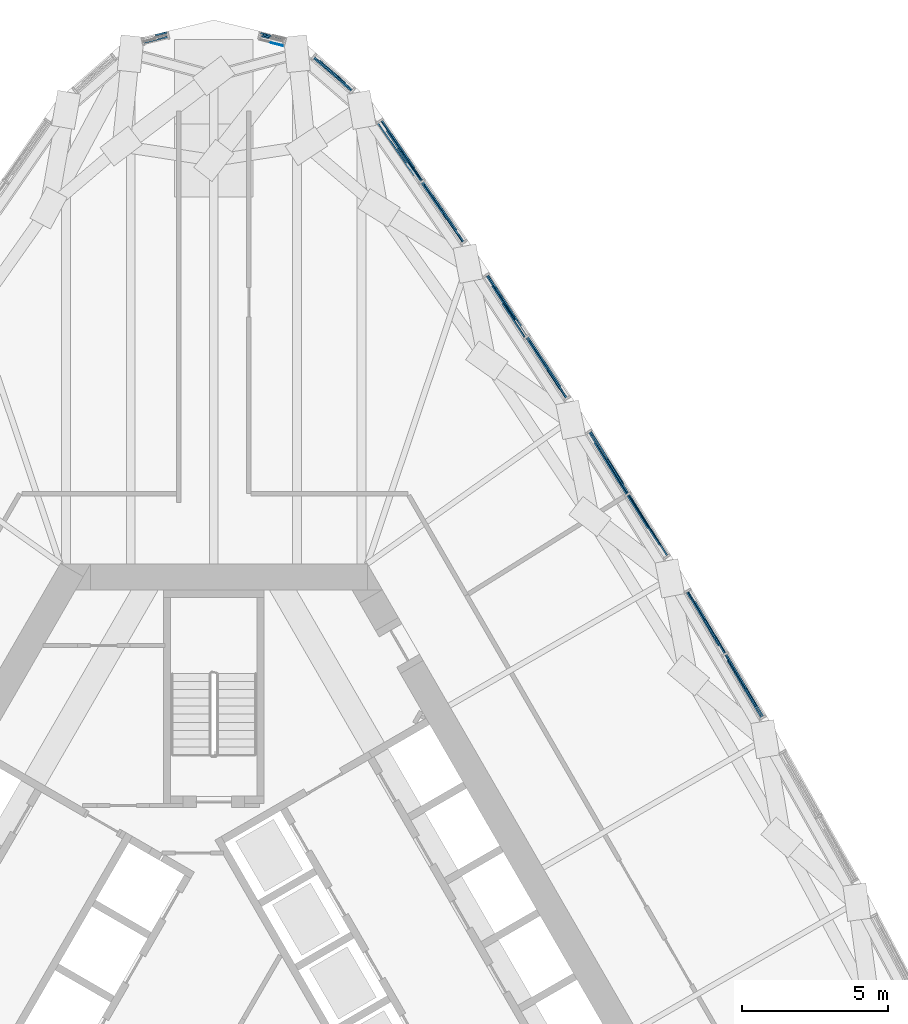
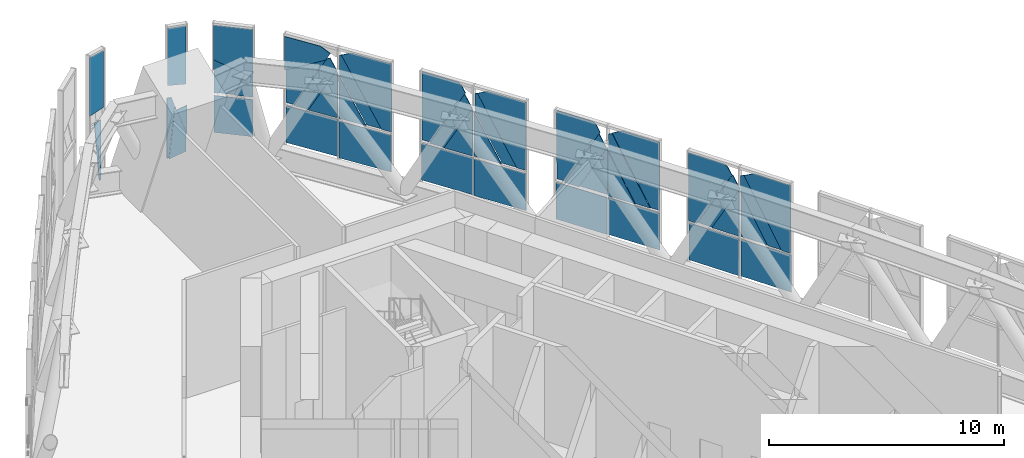
# One storey, part 17 of 33: 44 plates, 2 elements without a shape of their own.
"""IFC4 building model written with IfcOpenShell, lengths in metres."""

from ifc_helpers import new_model, si_unit, direction, frame, origin, place, context, subcontext, project, spatial, polyline, outline, extrude, material, layer, layer_set, type_object, element, aggregate, save


model = new_model("IFC4")

# Units and contexts
model_context = context("Model", 3, precision=1e-05, world=origin(), true_north=direction((0.0, 1.0)))
body_context = subcontext(model_context, "Body", "Model", "MODEL_VIEW")
ifc_project = project(units=[si_unit("LENGTHUNIT", "METRE"), si_unit("AREAUNIT", "SQUARE_METRE"), si_unit("VOLUMEUNIT", "CUBIC_METRE"), si_unit("PLANEANGLEUNIT", "RADIAN"), si_unit("MASSUNIT", "GRAM", prefix="KILO")], contexts=[model_context])

# Site, building, storey
site_placement = place(None, origin())
site = spatial("IfcSite", under=ifc_project, at=site_placement, CompositionType="ELEMENT")
building_placement = place(site_placement, origin())
building = spatial("IfcBuilding", under=site, at=building_placement, Name="Mestral Congress Tower", CompositionType="ELEMENT")
storey_placement = place(building_placement, frame((0.0, 0.0, 134.39990234375)))
storey = spatial("IfcBuildingStorey", under=building, at=storey_placement, Name="L32", CompositionType="ELEMENT", Elevation=134.39990234375)

# Curtain wall, plates
ifc_material_1 = material(Name="Clear low-emissivity double glazing", Category="glass")
curtain_wall_type = type_object("IfcCurtainWallType", Name="Facade sky lobby curtain wall", PredefinedType="USERDEFINED", material=ifc_material_1)
placement = place(storey_placement, origin())
curtain_wall_1 = element("IfcCurtainWall", 1, at=placement, inside=storey, type_object=curtain_wall_type, Name="Facade sky lobby curtain wall face 2", ObjectType="CURTAIN WALL", PredefinedType="USERDEFINED")
ifc_material_2 = material(Name="Anodised aluminium", Category="aluminium")
ifc_layer_1 = layer(ifc_material_2, 0.031982421875)
ifc_layer_set_1 = layer_set([ifc_layer_1], Name="Anodised aluminium")
plate_type_1 = type_object("IfcPlateType", Name="Facade sky lobby curtain wall brace cover panel", PredefinedType="CURTAIN_PANEL", material=ifc_layer_set_1)
plate_1_placement = place(storey_placement, frame((17.55859375, 13.802001953125, 3.130126953125), z_axis=(0.86012861678, 0.510073387972, 0.001975215863), x_axis=(0.001626859695, 0.001129059904, -0.999998039274)))
plate_1 = element("IfcPlate", 2, at=plate_1_placement, type_object=plate_type_1, Name="Facade sky lobby curtain wall brace cover panel", PredefinedType="CURTAIN_PANEL", context=body_context, shape_type="SweptSolid", body=[
    extrude(outline(polyline([(0.0, 0.0), (1.9179726336058212, 0.0), (1.9176248229563206, -2.4603006889917713), (-0.0003475350001097711, -2.460090696280906), (0.0, 0.0)])), origin(), (0.0, 0.0, -1.0), 0.031982421875),
])
plate_2_placement = place(storey_placement, frame((17.52490234375, 13.7822265625, 5.637451171875), z_axis=(0.860085968167, 0.510145434705, 0.001939796767), x_axis=(0.250318890357, -0.418708912185, -0.87293945952)))
plate_2 = element("IfcPlate", 3, at=plate_2_placement, type_object=plate_type_1, Name="Facade sky lobby curtain wall brace cover panel", PredefinedType="CURTAIN_PANEL", context=body_context, shape_type="SweptSolid", body=[
    extrude(outline(polyline([(0.0, 0.0), (2.712022930571762, -2.220446049250313e-16), (3.05804982682663, -0.6191991300030775), (-0.696692694267993, -0.6190453066703433), (-0.6964750052311194, -0.38921933922212154), (0.0, 0.0)])), origin(), (0.0, 0.0, -1.0), 0.031982421875),
])
plate_3_placement = place(storey_placement, frame((16.243896484375, 15.952392578125, 3.130126953125), z_axis=(0.86012861678, 0.510073387972, 0.001975215863), x_axis=(0.001626859695, 0.001129059904, -0.999998039274)))
plate_3 = element("IfcPlate", 4, at=plate_3_placement, type_object=plate_type_1, Name="Facade sky lobby curtain wall brace cover panel", PredefinedType="CURTAIN_PANEL", context=body_context, shape_type="SweptSolid", body=[
    extrude(outline(polyline([(0.0, 0.0), (1.9179726336058212, 0.0), (1.9176248229563206, -2.4603006889917713), (-0.0003475350001097711, -2.460090696280906), (0.0, 0.0)])), origin(), (0.0, 0.0, -1.0), 0.031982421875),
])
plate_4_placement = place(storey_placement, frame((16.48486328125, 15.612060546875, 3.27001953125), z_axis=(0.860116950872, 0.510092838431, 0.00203150307), x_axis=(0.51009389094, -0.860118725773, 4.1035e-08)))
plate_4 = element("IfcPlate", 5, at=plate_4_placement, type_object=plate_type_1, Name="Facade sky lobby curtain wall brace cover panel", PredefinedType="CURTAIN_PANEL", context=body_context, shape_type="SweptSolid", body=[
    extrude(outline(polyline([(0.0, 0.0), (0.7079016032174283, 0.0), (2.044427779882958, -2.4116261325447796), (2.0444277824776758, -2.474858423939393), (1.7064156484361315, -3.079596272129642), (0.0, 0.0)])), origin(), (0.0, 0.0, -1.0), 0.031982421875),
])
plate_5_placement = place(storey_placement, frame((14.226318359375, 19.275390625, 3.130126953125), z_axis=(0.847957586157, 0.530060321411, 0.001996933552), x_axis=(0.001736310496, 0.000989721143, -0.999998002837)))
plate_5 = element("IfcPlate", 6, at=plate_5_placement, type_object=plate_type_1, Name="Facade sky lobby curtain wall brace cover panel", PredefinedType="CURTAIN_PANEL", context=body_context, shape_type="SweptSolid", body=[
    extrude(outline(polyline([(0.0, 0.0), (1.9179727872078352, 4.336808689942018e-19), (1.9181721200182649, -2.4601732932866356), (0.00019975671435944458, -2.460302702768862), (0.0, 0.0)])), origin(), (0.0, 0.0, -1.0), 0.031982421875),
])
plate_6_placement = place(storey_placement, frame((14.193359375, 19.254638671875, 5.593017578125), z_axis=(0.847995631356, 0.529999313818, 0.002033851679), x_axis=(0.261725769134, -0.415416553204, -0.871165144559)))
plate_6 = element("IfcPlate", 7, at=plate_6_placement, type_object=plate_type_1, Name="Facade sky lobby curtain wall brace cover panel", PredefinedType="CURTAIN_PANEL", context=body_context, shape_type="SweptSolid", body=[
    extrude(outline(polyline([(0.0, 0.0), (2.6665418033017634, 2.220446049250313e-16), (3.01580911055552, -0.6197116137128522), (-0.7497062911110444, -0.6194826192286371), (-0.7495874205033718, -0.422286843338545), (0.0, 0.0)])), origin(), (0.0, 0.0, -1.0), 0.031982421875),
])
plate_7_placement = place(storey_placement, frame((12.86181640625, 21.394287109375, 3.130126953125), z_axis=(0.847957469976, 0.530060248786, 0.002064405306), x_axis=(0.001700545939, 0.00117422551, -0.999997864667)))
plate_7 = element("IfcPlate", 8, at=plate_7_placement, type_object=plate_type_1, Name="Facade sky lobby curtain wall brace cover panel", PredefinedType="CURTAIN_PANEL", context=body_context, shape_type="SweptSolid", body=[
    extrude(outline(polyline([(0.0, 0.0), (1.9179726318233394, -5.692061405548898e-19), (1.9177408348083074, -2.4603026999588202), (-0.0002322121873804474, -2.4601732904029103), (0.0, 0.0)])), origin(), (0.0, 0.0, -1.0), 0.031982421875),
])
plate_8_placement = place(storey_placement, frame((13.04638671875, 21.0341796875, 3.27001953125), z_axis=(0.847980284012, 0.530024207938, 0.001943431877), x_axis=(0.530025209124, -0.847981885238, -1.53079e-07)))
plate_8 = element("IfcPlate", 9, at=plate_8_placement, type_object=plate_type_1, Name="Facade sky lobby curtain wall brace cover panel", PredefinedType="CURTAIN_PANEL", context=body_context, shape_type="SweptSolid", body=[
    extrude(outline(polyline([(0.0, 0.0), (0.7074243684682696, -2.168404344971009e-19), (2.049527119190332, -2.4428760207770264), (1.6912083659026091, -3.078375104627083), (0.0, 0.0)])), origin(), (0.0, 0.0, -1.0), 0.031982421875),
])
plate_9_placement = place(storey_placement, frame((10.71044921875, 24.631591796875, 3.130126953125), z_axis=(0.835316511973, 0.549765782754, 0.001977103336), x_axis=(0.00162555498, 0.001126382494, -0.999998044415)))
plate_9 = element("IfcPlate", 10, at=plate_9_placement, type_object=plate_type_1, Name="Facade sky lobby curtain wall brace cover panel", PredefinedType="CURTAIN_PANEL", context=body_context, shape_type="SweptSolid", body=[
    extrude(outline(polyline([(0.0, 0.0), (1.9179726334424048, 2.710505431213761e-20), (1.917856346028759, -2.4603067673358137), (-0.0001160124179197127, -2.4601028322546785), (0.0, 0.0)])), origin(), (0.0, 0.0, -1.0), 0.031982421875),
])
plate_10_placement = place(storey_placement, frame((10.76318359375, 24.666259765625, 5.547119140625), z_axis=(0.835338317343, 0.549732497077, 0.002019216773), x_axis=(0.273163604262, -0.411888813741, -0.869326895029)))
plate_10 = element("IfcPlate", 11, at=plate_10_placement, type_object=plate_type_1, Name="Facade sky lobby curtain wall brace cover panel", PredefinedType="CURTAIN_PANEL", context=body_context, shape_type="SweptSolid", body=[
    extrude(outline(polyline([(0.0, 0.0), (2.6193826030159952, 0.0), (2.9721185393455114, -0.6204413809559917), (-0.8063606970181256, -0.6203086403764749), (-0.806502350459436, -0.45852820630338964), (0.0, 0.0)])), origin(), (0.0, 0.0, -1.0), 0.031982421875),
])
plate_11_placement = place(storey_placement, frame((9.353515625, 26.755615234375, 3.130126953125), z_axis=(0.835377133678, 0.549673787532, 0.001942119786), x_axis=(0.001654783027, 0.001018328017, -0.999998112349)))
plate_11 = element("IfcPlate", 12, at=plate_11_placement, type_object=plate_type_1, Name="Facade sky lobby curtain wall brace cover panel", PredefinedType="CURTAIN_PANEL", context=body_context, shape_type="SweptSolid", body=[
    extrude(outline(polyline([(0.0, 0.0), (1.9179723704628269, 3.2526065174565133e-19), (1.9181172820699322, -2.4601725603229716), (0.00014491160710546503, -2.4601725603229716), (0.0, 0.0)])), origin(), (0.0, 0.0, -1.0), 0.031982421875),
])
plate_12_placement = place(storey_placement, frame((9.541015625, 26.411865234375, 3.27001953125), z_axis=(0.835400640537, 0.549638216452, 0.001897579085), x_axis=(0.549639205852, -0.835402144713, 1.09179e-07)))
plate_12 = element("IfcPlate", 13, at=plate_12_placement, type_object=plate_type_1, Name="Facade sky lobby curtain wall brace cover panel", PredefinedType="CURTAIN_PANEL", context=body_context, shape_type="SweptSolid", body=[
    extrude(outline(polyline([(0.0, 0.0), (0.707201856914262, 2.168404344971009e-19), (2.036517136595166, -2.441898705311577), (1.6750691793493508, -3.0771538719520066), (0.0, 0.0)])), origin(), (0.0, 0.0, -1.0), 0.031982421875),
])
plate_13_placement = place(storey_placement, frame((7.125244140625, 29.944091796875, 3.130126953125), z_axis=(0.822254747424, 0.569116051074, 0.002012647171), x_axis=(0.001654782799, 0.001145618861, -0.999997974624)))
plate_13 = element("IfcPlate", 14, at=plate_13_placement, type_object=plate_type_1, Name="Facade sky lobby curtain wall brace cover panel", PredefinedType="CURTAIN_PANEL", context=body_context, shape_type="SweptSolid", body=[
    extrude(outline(polyline([(0.0, 0.0), (1.9179726346164996, -4.828087799349512e-19), (1.9179720752322902, -2.4632104942740605), (-5.593842094479134e-07, -2.46321049427406), (0.0, 0.0)])), origin(), (0.0, 0.0, -1.0), 0.031982421875),
])
plate_14_placement = place(storey_placement, frame((7.17724609375, 29.97998046875, 5.50439453125), z_axis=(0.822243863764, 0.569131640915, 0.002050319743), x_axis=(0.284755735175, -0.408271785309, -0.867310971108)))
plate_14 = element("IfcPlate", 15, at=plate_14_placement, type_object=plate_type_1, Name="Facade sky lobby curtain wall brace cover panel", PredefinedType="CURTAIN_PANEL", context=body_context, shape_type="SweptSolid", body=[
    extrude(outline(polyline([(0.0, 0.0), (2.5762099225827715, -2.220446049250313e-16), (2.932826596336283, -0.621375970785838), (-0.8617470179217689, -0.6212559344954132), (-0.8618935193887364, -0.49445769278492013), (0.0, 0.0)])), origin(), (0.0, 0.0, -1.0), 0.031982421875),
])
plate_15_placement = place(storey_placement, frame((5.7451171875, 32.0576171875, 3.130126953125), z_axis=(0.822286846164, 0.569069672252, 0.002012647155), x_axis=(0.001654782799, 0.001145618861, -0.999997974624)))
plate_15 = element("IfcPlate", 16, at=plate_15_placement, type_object=plate_type_1, Name="Facade sky lobby curtain wall brace cover panel", PredefinedType="CURTAIN_PANEL", context=body_context, shape_type="SweptSolid", body=[
    extrude(outline(polyline([(0.0, 0.0), (1.9179726346164996, -5.836057006582129e-19), (1.9179717955401854, -2.4634112443869833), (-8.390763141718702e-07, -2.4634112443869833), (0.0, 0.0)])), origin(), (0.0, 0.0, -1.0), 0.031982421875),
])
plate_16_placement = place(storey_placement, frame((6.336669921875, 31.142578125, 3.27001953125), z_axis=(0.822204501935, 0.569188594238, 0.002025138709), x_axis=(0.268592482446, -0.391119269011, 0.880274841048)))
plate_16 = element("IfcPlate", 17, at=plate_16_placement, type_object=plate_type_1, Name="Facade sky lobby curtain wall brace cover panel", PredefinedType="CURTAIN_PANEL", context=body_context, shape_type="SweptSolid", body=[
    extrude(outline(polyline([(0.0, 0.0), (2.772904130294407, 0.0), (3.101694942645508, -0.5297512886448197), (2.9536860663988627, -0.6216833906119702), (-0.33516712880042787, -0.6218424098521362), (0.0, 0.0)])), origin(), (0.0, 0.0, -1.0), 0.031982421875),
])

curtain_wall_2 = element("IfcCurtainWall", 18, at=placement, inside=storey, type_object=curtain_wall_type, Name="Facade sky lobby curtain wall corner 2", ObjectType="CURTAIN WALL", PredefinedType="USERDEFINED")
plate_17_placement = place(storey_placement, frame((3.45751953125, 34.244873046875, 3.130126953125), z_axis=(0.655839394244, 0.754897721151, 0.002029669844), x_axis=(0.001372825127, 0.001495981281, -0.999997938693)))
plate_17 = element("IfcPlate", 19, at=plate_17_placement, type_object=plate_type_1, Name="Facade sky lobby curtain wall brace cover panel", PredefinedType="CURTAIN_PANEL", context=body_context, shape_type="SweptSolid", body=[
    extrude(outline(polyline([(0.0, 0.0), (1.9179728660223694, 5.285485590866834e-19), (1.9180665351309905, -1.69925629576964), (9.400427100560486e-05, -1.6994405973324875), (0.0, 0.0)])), origin(), (0.0, 0.0, -1.0), 0.031982421875),
])
plate_18_placement = place(storey_placement, frame((4.140380859375, 33.6962890625, 3.27001953125), z_axis=(0.655862776531, 0.754877617706, 0.001949525069), x_axis=(0.281318229575, -0.246813531318, 0.927331189202)))
plate_18 = element("IfcPlate", 20, at=plate_18_placement, type_object=plate_type_1, Name="Facade sky lobby curtain wall brace cover panel", PredefinedType="CURTAIN_PANEL", context=body_context, shape_type="SweptSolid", body=[
    extrude(outline(polyline([(0.0, 0.0), (1.2837159432963894, 5.551115123125783e-17), (1.2837346129901144, -0.6190521418454542), (-0.24967025286528605, -0.6186651192187635), (0.0, 0.0)])), origin(), (0.0, 0.0, -1.0), 0.031982421875),
])
plate_19_placement = place(storey_placement, frame((2.364990234375, 34.648193359375, 2.76171875), z_axis=(0.235810153728, 0.971797043425, 0.002019353594), x_axis=(-0.922262582119, 0.224444433701, -0.314732308168)))
plate_19 = element("IfcPlate", 21, at=plate_19_placement, type_object=plate_type_1, Name="Facade sky lobby curtain wall brace cover panel", PredefinedType="CURTAIN_PANEL", context=body_context, shape_type="SweptSolid", body=[
    extrude(outline(polyline([(0.0, 0.0), (0.4786123372652201, 2.7755575615628914e-17), (0.47938558360802247, -1.4465644768659232), (0.0, 0.0)])), origin(), (0.0, 0.0, -1.0), 0.031982421875),
])
plate_20_placement = place(storey_placement, frame((1.70458984375, 35.05712890625, 0.0), z_axis=(0.236444636535, 0.97164285629, 0.002023283327), x_axis=(0.091303245071, -0.02429122518, 0.99552682225)))
plate_20 = element("IfcPlate", 22, at=plate_20_placement, type_object=plate_type_1, Name="Facade sky lobby curtain wall brace cover panel", PredefinedType="CURTAIN_PANEL", context=body_context, shape_type="SweptSolid", body=[
    extrude(outline(polyline([(0.0, 0.0), (2.7084039921281726, -5.551115123125783e-17), (3.126750279129553, -0.18381965769676673), (3.1077611714715383, -0.3839517319955548), (0.00012801462476873596, -0.08911289901300483), (0.0, 0.0)])), origin(), (0.0, 0.0, -1.0), 0.031982421875),
])
plate_21_placement = place(storey_placement, frame((-1.62255859375, 35.09521484375, 3.130126953125), z_axis=(-0.235664868193, 0.971832220075, 0.002050834917), x_axis=(-0.971834263486, -0.235665365113, 6.64539e-07)))
plate_21 = element("IfcPlate", 23, at=plate_21_placement, type_object=plate_type_1, Name="Facade sky lobby curtain wall brace cover panel", PredefinedType="CURTAIN_PANEL", context=body_context, shape_type="SweptSolid", body=[
    extrude(outline(polyline([(0.0, 0.0), (0.38589858640183416, -2.710505431213761e-20), (0.0886279058692496, -3.130133594581119), (-1.6876305152326092e-05, -3.121588339383052), (0.0, 0.0)])), origin(), (0.0, 0.0, -1.0), 0.031982421875),
])

# Plate
ifc_layer_2 = layer(ifc_material_1, 0.031982421875)
ifc_layer_set_2 = layer_set([ifc_layer_2], Name="Clear low-emissivity double glazing")
plate_type_2 = type_object("IfcPlateType", Name="Facade sky lobby curtain wall panel", PredefinedType="CURTAIN_PANEL", material=ifc_layer_set_2)
plate_22_placement = place(storey_placement, frame((17.55810546875, 13.802001953125, 3.27001953125), z_axis=(0.86005302669, 0.510200948036, 0.001945226143), x_axis=(0.510201913315, -0.860054653874, 0.0)))
plate_22 = element("IfcPlate", 24, at=plate_22_placement, type_object=plate_type_2, Name="Sky lobby glass unit", PredefinedType="CURTAIN_PANEL", context=body_context, shape_type="SweptSolid", body=[
    extrude(outline(polyline([(0.0, 0.0), (1.3231013261770093, -4.336808689942018e-19), (0.00010676658342248296, -2.367436119705623), (0.0, 0.0)])), origin(), (0.0, 0.0, -1.0), 0.031982421875),
])

plate_23_placement = place(storey_placement, frame((17.5966796875, 13.591552734375, 6.547607421875), z_axis=(0.860118555914, 0.510090069781, 0.002047067094), x_axis=(0.25039068427, -0.418707914442, -0.872919347715)))
plate_23 = element("IfcPlate", 25, at=plate_23_placement, type_object=plate_type_2, Name="Sky lobby glass unit", PredefinedType="CURTAIN_PANEL", context=body_context, shape_type="SweptSolid", body=[
    extrude(outline(polyline([(0.0, 0.0), (3.7547425162387924, -2.220446049250313e-16), (3.963444200516447, -0.37342582974854266), (0.8732807019196859, -2.1005091407927434), (0.00013261604913794578, -0.5382021121010829), (0.0, 0.0)])), origin(), (0.0, 0.0, -1.0), 0.031982421875),
])

plate_24_placement = place(storey_placement, frame((17.498291015625, 13.836181640625, 3.27001953125), z_axis=(0.860251386082, 0.509866557349, 0.001909565474), x_axis=(-0.00161975813, -0.001012348832, 0.999998175765)))
plate_24 = element("IfcPlate", 26, at=plate_24_placement, type_object=plate_type_2, Name="Sky lobby glass unit", PredefinedType="CURTAIN_PANEL", context=body_context, shape_type="SweptSolid", body=[
    extrude(outline(polyline([(0.0, 0.0), (2.4116254931214938, -2.981555974335137e-19), (-6.015764296616352e-05, -1.3364187776712324), (0.0, 0.0)])), origin(), (0.0, 0.0, -1.0), 0.031982421875),
])

plate_25_placement = place(storey_placement, frame((16.21435546875, 15.93505859375, 3.27001953125), z_axis=(0.860108921035, 0.510106358269, 0.002036469849), x_axis=(0.510107416301, -0.860110704407, -1.54034e-07)))
plate_25 = element("IfcPlate", 27, at=plate_25_placement, type_object=plate_type_2, Name="Sky lobby glass unit", PredefinedType="CURTAIN_PANEL", context=body_context, shape_type="SweptSolid", body=[
    extrude(outline(polyline([(0.0, 0.0), (0.4158558414846516, 0.0), (2.1220608015213016, -3.079596406306287), (1.9134674085514187, -3.4528884453148034), (1.7561610791582283, -3.5400466308729857), (3.5825600718538725e-05, -3.540046216976715), (0.0, 0.0)])), origin(), (0.0, 0.0, -1.0), 0.031982421875),
])

plate_26_placement = place(storey_placement, frame((15.5302734375, 17.18896484375, 3.27001953125), z_axis=(0.84794390741, 0.530082324242, 0.001964538852), x_axis=(-0.001685303421, -0.001010205901, 0.999998069616)))
plate_26 = element("IfcPlate", 28, at=plate_26_placement, type_object=plate_type_2, Name="Sky lobby glass unit", PredefinedType="CURTAIN_PANEL", context=body_context, shape_type="SweptSolid", body=[
    extrude(outline(polyline([(0.0, 0.0), (3.54004621462672, -8.402566836762659e-19), (3.5401130656556026, -1.8273317868591863), (3.280364041556264, -2.2886059949319058), (1.632821178424945e-05, -0.43970762707781014), (0.0, 0.0)])), origin(), (0.0, 0.0, -1.0), 0.031982421875),
])

plate_27_placement = place(storey_placement, frame((14.168701171875, 19.2392578125, 3.27001953125), z_axis=(0.848038382912, 0.529930757308, 0.002072092494), x_axis=(0.529931894958, -0.848040203473, 0.0)))
plate_27 = element("IfcPlate", 29, at=plate_27_placement, type_object=plate_type_2, Name="Sky lobby glass unit", PredefinedType="CURTAIN_PANEL", context=body_context, shape_type="SweptSolid", body=[
    extrude(outline(polyline([(0.0, 0.0), (1.309314768277594, 0.0), (-0.00012901371571304512, -2.323003033865291), (0.0, 0.0)])), origin(), (0.0, 0.0, -1.0), 0.031982421875),
])

plate_28_placement = place(storey_placement, frame((14.1943359375, 19.325927734375, 3.27001953125), z_axis=(0.847976591348, 0.530030094914, 0.001949105137), x_axis=(-0.001681068359, -0.00098785865, 0.99999809907)))
plate_28 = element("IfcPlate", 30, at=plate_28_placement, type_object=plate_type_2, Name="Sky lobby glass unit", PredefinedType="CURTAIN_PANEL", context=body_context, shape_type="SweptSolid", body=[
    extrude(outline(polyline([(0.0, 0.0), (2.4294481300289026, 5.963111948670274e-19), (2.4428761349648696, -0.0074523919411187385), (7.212812502638364e-05, -1.3494787483670891), (0.0, 0.0)])), origin(), (0.0, 0.0, -1.0), 0.031982421875),
])

plate_29_placement = place(storey_placement, frame((12.919189453125, 21.43017578125, 3.27001953125), z_axis=(0.847942069495, 0.530085043656, 0.002023183857), x_axis=(0.530086128862, -0.847943804735, -1.81349e-07)))
plate_29 = element("IfcPlate", 31, at=plate_29_placement, type_object=plate_type_2, Name="Sky lobby glass unit", PredefinedType="CURTAIN_PANEL", context=body_context, shape_type="SweptSolid", body=[
    extrude(outline(polyline([(0.0, 0.0), (0.4033995896768836, 5.421010862427522e-20), (2.0944780228294118, -3.078375802832063), (1.8824006659487929, -3.454841311890099), (1.7270757427070624, -3.540046626370851), (-0.00013076799517021967, -3.5400462156311), (0.0, 0.0)])), origin(), (0.0, 0.0, -1.0), 0.031982421875),
])

plate_30_placement = place(storey_placement, frame((10.7119140625, 24.632568359375, 3.27001953125), z_axis=(0.835369699332, 0.549684576423, 0.002081317201), x_axis=(0.549685767011, -0.835371508699, 0.0)))
plate_30 = element("IfcPlate", 32, at=plate_30_placement, type_object=plate_type_2, Name="Sky lobby glass unit", PredefinedType="CURTAIN_PANEL", context=body_context, shape_type="SweptSolid", body=[
    extrude(outline(polyline([(0.0, 0.0), (1.2946850083916674, 0.0), (9.621931726491399e-05, -2.2771045414536197), (0.0, 0.0)])), origin(), (0.0, 0.0, -1.0), 0.031982421875),
])

plate_31_placement = place(storey_placement, frame((10.810546875, 24.529052734375, 6.5546875), z_axis=(0.835321828592, 0.54975768904, 0.001981418484), x_axis=(0.273187747936, -0.411958347486, -0.869286359213)))
plate_31 = element("IfcPlate", 33, at=plate_31_placement, type_object=plate_type_2, Name="Sky lobby glass unit", PredefinedType="CURTAIN_PANEL", context=body_context, shape_type="SweptSolid", body=[
    extrude(outline(polyline([(0.0, 0.0), (3.778579809252799, 0.0), (4.001799434867225, -0.3925547135029763), (0.924500269588048, -2.142456425513557), (-0.00010915868745051127, -0.5164348020654914), (0.0, 0.0)])), origin(), (0.0, 0.0, -1.0), 0.031982421875),
])

plate_32_placement = place(storey_placement, frame((10.652099609375, 24.6650390625, 3.27001953125), z_axis=(0.835334650033, 0.549738257503, 0.001967407421), x_axis=(-0.001621315859, -0.001115189433, 0.999998063842)))
plate_32 = element("IfcPlate", 34, at=plate_32_placement, type_object=plate_type_2, Name="Sky lobby glass unit", PredefinedType="CURTAIN_PANEL", context=body_context, shape_type="SweptSolid", body=[
    extrude(outline(polyline([(0.0, 0.0), (2.382573074504383, 5.692061405548898e-19), (2.4418979042734423, -0.03365567418576409), (-5.476317243009298e-05, -1.3628718224146394), (0.0, 0.0)])), origin(), (0.0, 0.0, -1.0), 0.031982421875),
])

plate_33_placement = place(storey_placement, frame((9.396484375, 26.783935546875, 3.27001953125), z_axis=(0.835290603829, 0.549804989136, 0.002020167108), x_axis=(0.54980611153, -0.835292307952, -2.91677e-07)))
plate_33 = element("IfcPlate", 35, at=plate_33_placement, type_object=plate_type_2, Name="Sky lobby glass unit", PredefinedType="CURTAIN_PANEL", context=body_context, shape_type="SweptSolid", body=[
    extrude(outline(polyline([(0.0, 0.0), (0.3902331062380633, 5.421010862427522e-20), (2.065299843845496, -3.0771552013976704), (1.847605250304956, -3.4599684809632114), (1.70046468497343, -3.540046776733917), (4.030784586906613e-05, -3.540046064879993), (0.0, 0.0)])), origin(), (0.0, 0.0, -1.0), 0.031982421875),
])

plate_34_placement = place(storey_placement, frame((7.125, 29.944091796875, 3.27001953125), z_axis=(0.822348079931, 0.568981113637, 0.002031688532), x_axis=(0.568982287949, -0.822349777163, 0.0)))
plate_34 = element("IfcPlate", 36, at=plate_34_placement, type_object=plate_type_2, Name="Sky lobby glass unit", PredefinedType="CURTAIN_PANEL", context=body_context, shape_type="SweptSolid", body=[
    extrude(outline(polyline([(0.0, 0.0), (1.2825290761778492, 0.0), (0.00012478350330962082, -2.234379611494244), (0.0, 0.0)])), origin(), (0.0, 0.0, -1.0), 0.031982421875),
])

plate_35_placement = place(storey_placement, frame((7.210205078125, 29.869140625, 6.56103515625), z_axis=(0.822239279522, 0.569138364223, 0.002022270972), x_axis=(0.284739027195, -0.408283273846, -0.867311048407)))
plate_35 = element("IfcPlate", 37, at=plate_35_placement, type_object=plate_type_2, Name="Sky lobby glass unit", PredefinedType="CURTAIN_PANEL", context=body_context, shape_type="SweptSolid", body=[
    extrude(outline(polyline([(0.0, 0.0), (3.7945040975822932, -4.440892098500626e-16), (4.0256875464952, -0.40281822315399696), (0.9553986981295597, -2.1649914578850966), (-0.00010875111647343227, -0.5000965894500361), (0.0, 0.0)])), origin(), (0.0, 0.0, -1.0), 0.031982421875),
])

plate_36_placement = place(storey_placement, frame((6.5908203125, 30.59765625, 6.81005859375), z_axis=(0.822285389622, 0.569071612505, 0.002058605278), x_axis=(-0.569072818112, 0.822287132142, -1.29079e-07)))
plate_36 = element("IfcPlate", 38, at=plate_36_placement, type_object=plate_type_2, Name="Sky lobby glass unit", PredefinedType="CURTAIN_PANEL", context=body_context, shape_type="SweptSolid", body=[
    extrude(outline(polyline([(0.0, 0.0), (1.681890149068007, 4.336808689942018e-19), (1.681829200313474, -1.7602574237530157), (-0.2613662559037331, -0.6450211169909318), (-0.4719018742431762, -0.25439529591311366), (0.0, 0.0)])), origin(), (0.0, 0.0, -1.0), 0.031982421875),
])

plate_37_placement = place(storey_placement, frame((7.0908203125, 29.993408203125, 3.27001953125), z_axis=(0.822224538156, 0.569159557838, 0.002050993813), x_axis=(-0.001641219949, -0.001232586132, 0.999997893562)))
plate_37 = element("IfcPlate", 39, at=plate_37_placement, type_object=plate_type_2, Name="Sky lobby glass unit", PredefinedType="CURTAIN_PANEL", context=body_context, shape_type="SweptSolid", body=[
    extrude(outline(polyline([(0.0, 0.0), (2.3388722829289694, 0.0), (2.440918461438244, -0.058590518631987054), (-0.00010887204617362881, -1.3742319842157846), (0.0, 0.0)])), origin(), (0.0, 0.0, -1.0), 0.031982421875),
])

plate_38_placement = place(storey_placement, frame((5.769775390625, 32.07470703125, 5.0498046875), z_axis=(0.822271402978, 0.569091877222, 0.002043312133), x_axis=(0.001635559034, 0.001227278876, -0.999997909364)))
plate_38 = element("IfcPlate", 40, at=plate_38_placement, type_object=plate_type_2, Name="Sky lobby glass unit", PredefinedType="CURTAIN_PANEL", context=body_context, shape_type="SweptSolid", body=[
    extrude(outline(polyline([(0.0, 0.0), (1.779788923702368, 2.710505431213761e-20), (1.7797588837092129, -0.382700454207647), (-1.115388947426339, -1.9431078467529745), (0.0, 0.0)])), origin(), (0.0, 0.0, -1.0), 0.031982421875),
])

aggregate(curtain_wall_1, [plate_1, plate_22, plate_23, plate_2, plate_3, plate_24, plate_25, plate_4, plate_5, plate_26, plate_27, plate_6, plate_7, plate_28, plate_29, plate_8, plate_9, plate_30, plate_31, plate_10, plate_11, plate_32, plate_33, plate_12, plate_13, plate_34, plate_35, plate_14, plate_15, plate_36, plate_37, plate_38, plate_16])

plate_39_placement = place(storey_placement, frame((4.71337890625, 33.09912109375, 6.81005859375), z_axis=(0.655799736163, 0.754932204995, 0.00201789733), x_axis=(-0.754933742283, 0.655801071029, 2.07879e-07)))
plate_39 = element("IfcPlate", 41, at=plate_39_placement, type_object=plate_type_2, Name="Sky lobby glass unit", PredefinedType="CURTAIN_PANEL", context=body_context, shape_type="SweptSolid", body=[
    extrude(outline(polyline([(0.0, 0.0), (1.6992804941095407, 2.168404344971009e-19), (1.6993583116018391, -1.8027383985591896), (5.068044311114691e-06, -2.488285962798743), (0.0, 0.0)])), origin(), (0.0, 0.0, -1.0), 0.031982421875),
])

plate_40_placement = place(storey_placement, frame((4.740234375, 33.130126953125, 3.27001953125), z_axis=(0.655771905633, 0.754956573484, 0.001944205457), x_axis=(-0.001132023829, -0.00159194895, 0.999998092108)))
plate_40 = element("IfcPlate", 42, at=plate_40_placement, type_object=plate_type_2, Name="Sky lobby glass unit", PredefinedType="CURTAIN_PANEL", context=body_context, shape_type="SweptSolid", body=[
    extrude(outline(polyline([(0.0, 0.0), (1.051759908341091, 2.168404344971009e-19), (1.1903668470105444, -0.3439114838361078), (-0.00015590486128592756, -0.8239401597577902), (0.0, 0.0)])), origin(), (0.0, 0.0, -1.0), 0.031982421875),
])

plate_41_placement = place(storey_placement, frame((3.455078125, 34.241943359375, 5.00732421875), z_axis=(0.655883498026, 0.754859331756, 0.002055791232), x_axis=(0.001383779629, 0.001521063083, -0.999997885758)))
plate_41 = element("IfcPlate", 43, at=plate_41_placement, type_object=plate_type_2, Name="Sky lobby glass unit", PredefinedType="CURTAIN_PANEL", context=body_context, shape_type="SweptSolid", body=[
    extrude(outline(polyline([(0.0, 0.0), (1.7373084776723984, -9.486769009248164e-20), (1.737318120259756, -0.208011529596892), (0.31522300856628016, -0.7817369367211727), (0.0, 0.0)])), origin(), (0.0, 0.0, -1.0), 0.031982421875),
])

plate_42_placement = place(storey_placement, frame((1.713134765625, 34.99951171875, 0.0), z_axis=(0.236084402762, 0.97173044376, 0.002024707995), x_axis=(0.92229530634, -0.22472916555, 0.314433093128)))
plate_42 = element("IfcPlate", 44, at=plate_42_placement, type_object=plate_type_2, Name="Sky lobby glass unit", PredefinedType="CURTAIN_PANEL", context=body_context, shape_type="SweptSolid", body=[
    extrude(outline(polyline([(0.0, 0.0), (0.7547069470101488, 0.0), (1.0692821565681674, -0.9497490676012543), (1.0699163494217367, -2.485966449942758), (-0.020967114119749046, -0.00694521585489386), (0.0, 0.0)])), origin(), (0.0, 0.0, -1.0), 0.031982421875),
])

plate_43_placement = place(storey_placement, frame((2.398193359375, 34.783935546875, 6.81005859375), z_axis=(0.23633620968, 0.971669363688, 0.001960526336), x_axis=(-0.971671231001, 0.236336664198, -1.66861e-07)))
plate_43 = element("IfcPlate", 45, at=plate_43_placement, type_object=plate_type_2, Name="Sky lobby glass unit", PredefinedType="CURTAIN_PANEL", context=body_context, shape_type="SweptSolid", body=[
    extrude(outline(polyline([(0.0, 0.0), (0.8271600001169764, 5.421010862427522e-20), (0.827301458690681, -2.9660700153735813), (-3.805334951497244e-05, -3.0446837237777724), (0.0, 0.0)])), origin(), (0.0, 0.0, -1.0), 0.031982421875),
])

plate_44_placement = place(storey_placement, frame((-1.58642578125, 34.9462890625, 6.81005859375), z_axis=(-0.236232999123, 0.971694361242, 0.002009590793), x_axis=(-0.971696323412, -0.236233475757, -1.91921e-07)))
plate_44 = element("IfcPlate", 46, at=plate_44_placement, type_object=plate_type_2, Name="Sky lobby glass unit", PredefinedType="CURTAIN_PANEL", context=body_context, shape_type="SweptSolid", body=[
    extrude(outline(polyline([(0.0, 0.0), (0.8271023137882745, 0.0), (0.8271421008893732, -3.0446837235448627), (3.977201357795957e-05, -2.9660706010331297), (0.0, 0.0)])), origin(), (0.0, 0.0, -1.0), 0.031982421875),
])

aggregate(curtain_wall_2, [plate_17, plate_39, plate_40, plate_41, plate_18, plate_42, plate_19, plate_20, plate_43, plate_21, plate_44])

save(model, "model.ifc")
